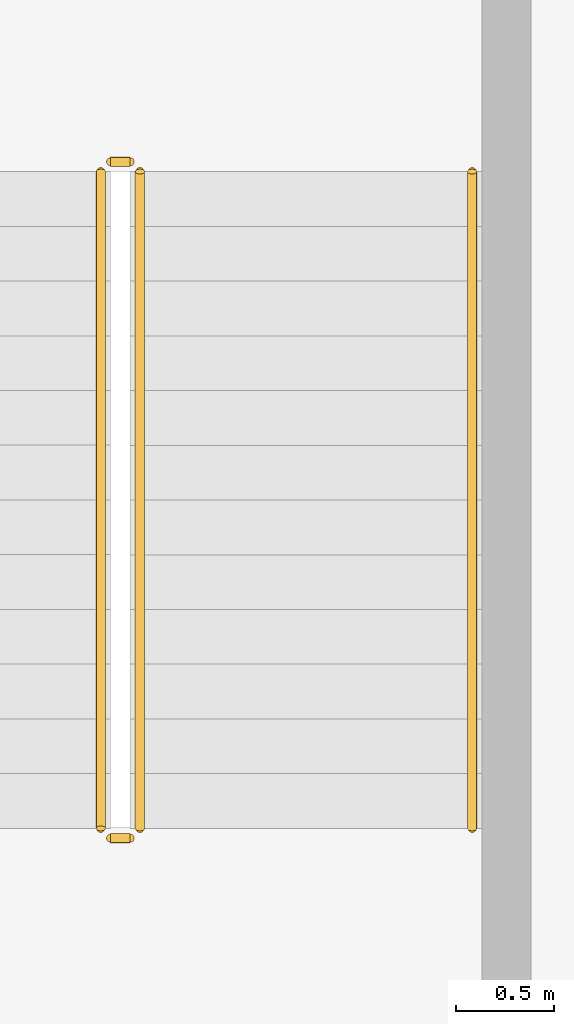
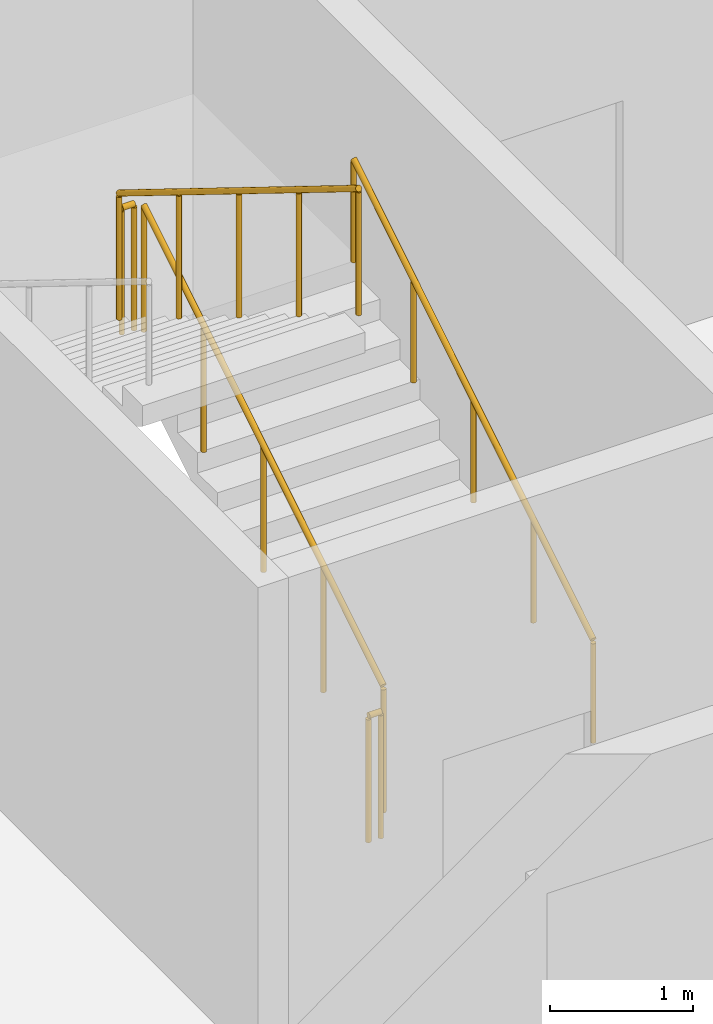
# One storey, part 32 of 36: 5 railings.
"""IFC4 building model written with IfcOpenShell, lengths in metres."""

from ifc_helpers import new_model, si_unit, direction, frame, origin, origin_2d, place, context, subcontext, project, spatial, circle, extrude, material, type_object, element, save


model = new_model("IFC4")

# Units and contexts
model_context = context("Model", 3, precision=1e-05, world=origin(), true_north=direction((0.0, 1.0)))
body_context = subcontext(model_context, "Body", "Model", "MODEL_VIEW")
ifc_project = project(units=[si_unit("LENGTHUNIT", "METRE"), si_unit("AREAUNIT", "SQUARE_METRE"), si_unit("VOLUMEUNIT", "CUBIC_METRE"), si_unit("PLANEANGLEUNIT", "RADIAN"), si_unit("MASSUNIT", "GRAM", prefix="KILO")], contexts=[model_context])

# Site, building, storey
site_placement = place(None, origin())
site = spatial("IfcSite", under=ifc_project, at=site_placement, CompositionType="ELEMENT")
building_placement = place(site_placement, origin())
building = spatial("IfcBuilding", under=site, at=building_placement, Name="Kilnfold Tower and Market Hall", CompositionType="ELEMENT")
storey_placement = place(building_placement, frame((0.0, 0.0, 18.0)))
storey = spatial("IfcBuildingStorey", under=building, at=storey_placement, Name="L03", CompositionType="ELEMENT", Elevation=18.0)

# Railings
ifc_material_1 = material(Name="Steel S355", Category="steel")
railing_type_1 = type_object("IfcRailingType", Name="HALL STAIR GUARD 1100", PredefinedType="GUARDRAIL", material=ifc_material_1)
railing_1_placement = place(storey_placement, frame((-48.550048828125, 46.699951171875, 0.173095703125)))
element("IfcRailing", 1, at=railing_1_placement, inside=storey, type_object=railing_type_1, Name="L03 MS3 stair guard 1", PredefinedType="GUARDRAIL", context=body_context, shape_type="SweptSolid", body=[
    extrude(circle(Radius=0.02392578125, at=origin_2d()), frame((0.0, 0.0, 1.076171875), z_axis=(0.0, 0.850623216509, 0.525775754039), x_axis=(-1.0, 0.0, 0.0)), (0.0, 0.0, 1.0), 3.9501953125),
    extrude(circle(Radius=0.02099609375, at=origin_2d()), origin(), (0.0, 0.0, 1.0), 1.052001953125),
    extrude(circle(Radius=0.02099609375, at=origin_2d()), frame((0.0, 0.840087890625, 0.519287109375)), (0.0, 0.0, 1.0), 1.052001953125),
    extrude(circle(Radius=0.02099609375, at=origin_2d()), frame((0.0, 1.68017578125, 1.03857421875)), (0.0, 0.0, 1.0), 1.052001953125),
    extrude(circle(Radius=0.02099609375, at=origin_2d()), frame((0.0, 2.52001953125, 1.5576171875)), (0.0, 0.0, 1.0), 1.052001953125),
    extrude(circle(Radius=0.02099609375, at=origin_2d()), frame((0.0, 3.360107421875, 2.076904296875)), (0.0, 0.0, 1.0), 1.052001953125),
])
railing_2_placement = place(storey_placement, frame((-48.60009765625, 50.110107421875, 2.25)))
element("IfcRailing", 2, at=railing_2_placement, inside=storey, type_object=railing_type_1, Name="L03 MS3 stair guard 2", PredefinedType="GUARDRAIL", context=body_context, shape_type="SweptSolid", body=[
    extrude(circle(Radius=0.02392578125, at=origin_2d()), frame((0.0, 0.0, 1.076171875), z_axis=(-1.0, 0.0, 0.0), x_axis=(0.0, -1.0, 0.0)), (0.0, 0.0, 1.0), 0.099853515625),
    extrude(circle(Radius=0.02099609375, at=origin_2d()), origin(), (0.0, 0.0, 1.0), 1.052001953125),
    extrude(circle(Radius=0.02099609375, at=origin_2d()), frame((-0.099853515625, 0.0, 0.0)), (0.0, 0.0, 1.0), 1.052001953125),
])
railing_3_placement = place(storey_placement, frame((-48.75, 50.06005859375, 2.423095703125)))
element("IfcRailing", 3, at=railing_3_placement, inside=storey, type_object=railing_type_1, Name="L03 MS3 stair guard 3", PredefinedType="GUARDRAIL", context=body_context, shape_type="SweptSolid", body=[
    extrude(circle(Radius=0.02392578125, at=origin_2d()), frame((0.0, 0.0, 1.076171875), z_axis=(0.0, -0.850623216509, 0.525775754039), x_axis=(1.0, 0.0, 0.0)), (0.0, 0.0, 1.0), 3.9501953125),
    extrude(circle(Radius=0.02099609375, at=origin_2d()), origin(), (0.0, 0.0, 1.0), 1.052001953125),
    extrude(circle(Radius=0.02099609375, at=origin_2d()), frame((0.0, -0.840087890625, 0.519287109375)), (0.0, 0.0, 1.0), 1.052001953125),
    extrude(circle(Radius=0.02099609375, at=origin_2d()), frame((0.0, -1.68017578125, 1.03857421875)), (0.0, 0.0, 1.0), 1.052001953125),
    extrude(circle(Radius=0.02099609375, at=origin_2d()), frame((0.0, -2.52001953125, 1.5576171875)), (0.0, 0.0, 1.0), 1.052001953125),
    extrude(circle(Radius=0.02099609375, at=origin_2d()), frame((0.0, -3.360107421875, 2.076904296875)), (0.0, 0.0, 1.0), 1.052001953125),
])
railing_4_placement = place(storey_placement, frame((-48.60009765625, 46.64990234375, 0.0)))
element("IfcRailing", 4, at=railing_4_placement, inside=storey, type_object=railing_type_1, Name="L03 MS3 stair guard 4", PredefinedType="GUARDRAIL", context=body_context, shape_type="SweptSolid", body=[
    extrude(circle(Radius=0.02392578125, at=origin_2d()), frame((0.0, 0.0, 1.076171875), z_axis=(-1.0, 0.0, 0.0), x_axis=(0.0, -1.0, 0.0)), (0.0, 0.0, 1.0), 0.099853515625),
    extrude(circle(Radius=0.02099609375, at=origin_2d()), origin(), (0.0, 0.0, 1.0), 1.052001953125),
    extrude(circle(Radius=0.02099609375, at=origin_2d()), frame((-0.099853515625, 0.0, 0.0)), (0.0, 0.0, 1.0), 1.052001953125),
])
ifc_material_2 = material(Name="Steel S355", Category="steel")
railing_type_2 = type_object("IfcRailingType", Name="HALL STAIR HANDRAIL", PredefinedType="HANDRAIL", material=ifc_material_2)
railing_5_placement = place(storey_placement, frame((-46.85009765625, 46.699951171875, 0.173095703125)))
element("IfcRailing", 5, at=railing_5_placement, inside=storey, type_object=railing_type_2, Name="L03 MS3 stair handrail 1", PredefinedType="HANDRAIL", context=body_context, shape_type="SweptSolid", body=[
    extrude(circle(Radius=0.02392578125, at=origin_2d()), frame((0.0, 0.0, 0.8759765625), z_axis=(0.0, 0.850623216509, 0.525775754039), x_axis=(-1.0, 0.0, 0.0)), (0.0, 0.0, 1.0), 3.9501953125),
    extrude(circle(Radius=0.02099609375, at=origin_2d()), origin(), (0.0, 0.0, 1.0), 0.851806640625),
    extrude(circle(Radius=0.02099609375, at=origin_2d()), frame((0.0, 0.840087890625, 0.519287109375)), (0.0, 0.0, 1.0), 0.851806640625),
    extrude(circle(Radius=0.02099609375, at=origin_2d()), frame((0.0, 1.68017578125, 1.03857421875)), (0.0, 0.0, 1.0), 0.851806640625),
    extrude(circle(Radius=0.02099609375, at=origin_2d()), frame((0.0, 2.52001953125, 1.5576171875)), (0.0, 0.0, 1.0), 0.851806640625),
    extrude(circle(Radius=0.02099609375, at=origin_2d()), frame((0.0, 3.360107421875, 2.076904296875)), (0.0, 0.0, 1.0), 0.851806640625),
])

save(model, "model.ifc")
